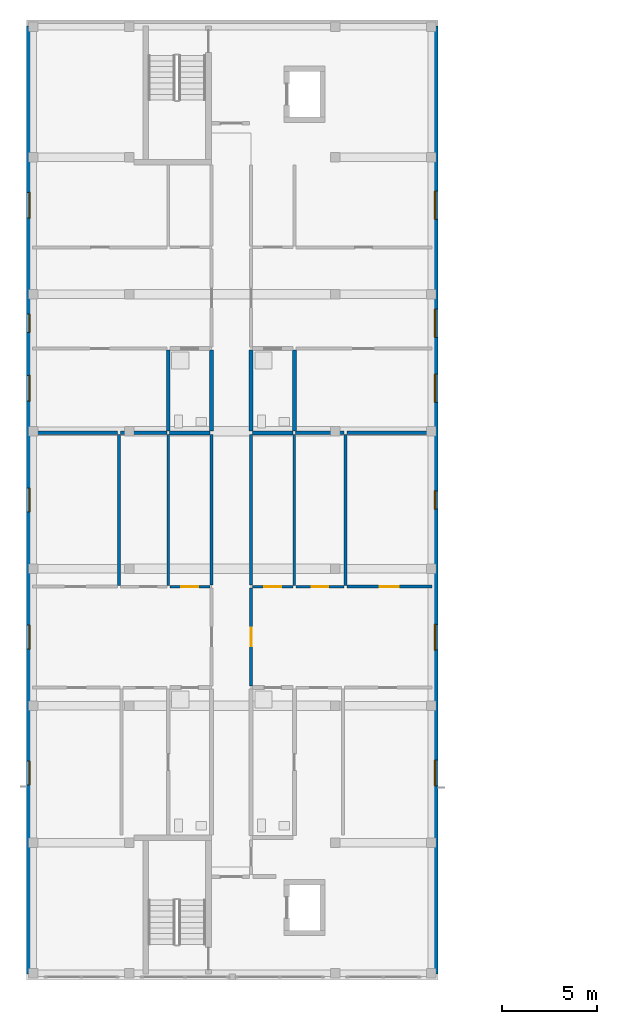
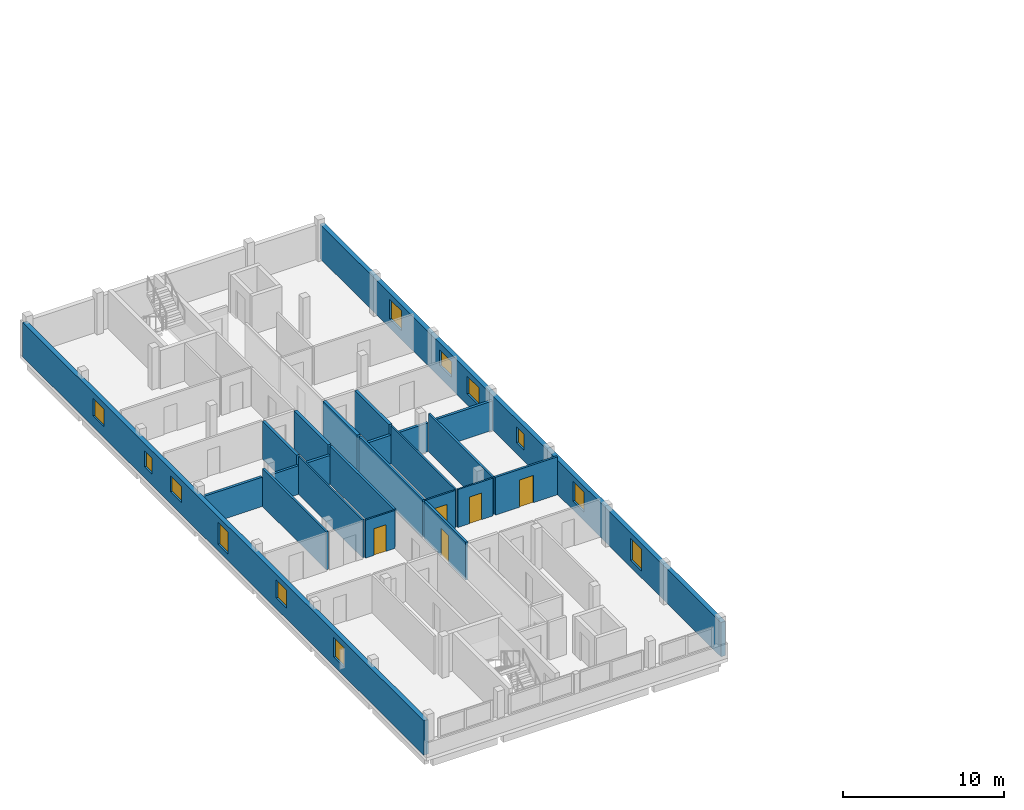
# One storey, part 7 of 16: 23 walls, 12 windows, 5 doors, 17 openings.
"""IFC4 building model written with IfcOpenShell, lengths in metres."""

from ifc_helpers import new_model, si_unit, derived_unit, direction, frame, frame_2d, origin, place, context, subcontext, project, spatial, rectangle, extrude, material, layer, layer_set, type_object, element, fill, save


model = new_model("IFC4")

# Units and contexts
model_context = context("Model", 3, precision=1e-05, world=origin(), true_north=direction((0.0, 1.0)))
body_context = subcontext(model_context, "Body", "Model", "MODEL_VIEW")
ifc_project = project(units=[si_unit("LENGTHUNIT", "METRE"), si_unit("AREAUNIT", "SQUARE_METRE"), si_unit("VOLUMEUNIT", "CUBIC_METRE"), si_unit("PLANEANGLEUNIT", "RADIAN"), si_unit("MASSUNIT", "GRAM", prefix="KILO"), derived_unit("THERMALTRANSMITTANCEUNIT", [(si_unit("MASSUNIT", "GRAM", prefix="KILO"), 1), (si_unit("TIMEUNIT", "SECOND"), -3), (si_unit("THERMODYNAMICTEMPERATUREUNIT", "KELVIN"), -1)])], contexts=[model_context])

# Site, building, storey
site_placement = place(None, origin())
site = spatial("IfcSite", under=ifc_project, at=site_placement, CompositionType="ELEMENT")
building_placement = place(site_placement, origin())
building = spatial("IfcBuilding", under=site, at=building_placement, Name="Ochrekiln Boulevard Commons", CompositionType="ELEMENT")
storey_placement = place(building_placement, frame((0.0, 0.0, 43.574951171875)))
storey = spatial("IfcBuildingStorey", under=building, at=storey_placement, Name="L13", CompositionType="ELEMENT", Elevation=43.574951171875)

# Wall, openings, windows
ifc_material_1 = material(Name="Desert ochre clinker brick masonry ASTM C216 Grade SW", Category="masonry")
ifc_layer_1 = layer(ifc_material_1, 0.320068359375)
ifc_layer_set_1 = layer_set([ifc_layer_1], Name="Desert ochre clinker brick masonry ASTM C216 Grade SW")
wall_type_1 = type_object("IfcWallType", Name="WL-EXT-OCHRE-320", PredefinedType="SOLIDWALL", material=ifc_layer_set_1)
wall_1_placement = place(storey_placement, frame((0.159912109375, 68.719970703125, 0.0), z_axis=(0.0, 0.0, 1.0), x_axis=(0.0, 1.0, 0.0)))
wall_1 = element("IfcWall", 1, at=wall_1_placement, inside=storey, type_object=wall_type_1, Name="Block A L13 W Exterior Wall", PredefinedType="SOLIDWALL", context=body_context, shape_type="SweptSolid", body=[
    extrude(rectangle(XDim=49.760009765625, YDim=0.320068359375, at=frame_2d((24.8798828125, 0.0))), origin(), (0.0, 0.0, 1.0), 2.60009765625),
])
opening_1_placement = place(wall_1_placement, frame((17.054931640625, 0.0, 0.81494140625)))
opening_1 = element("IfcOpeningElement", 2, at=opening_1_placement, cuts=wall_1, Name="Opening W-17", PredefinedType="OPENING", context=body_context, shape_type="SweptSolid", body=[
    extrude(rectangle(XDim=1.25, YDim=1.35009765625, at=frame_2d((0.625, 0.675048828125))), frame((0.0, 0.169921875, 0.0), z_axis=(0.0, -1.0, 0.0), x_axis=(1.0, 0.0, 0.0)), (0.0, 0.0, 1.0), 0.340087890625),
])
opening_2_placement = place(wall_1_placement, frame((9.919921875, 0.0, 0.6650390625)))
opening_2 = element("IfcOpeningElement", 3, at=opening_2_placement, cuts=wall_1, Name="Opening W-18", PredefinedType="OPENING", context=body_context, shape_type="SweptSolid", body=[
    extrude(rectangle(XDim=1.25, YDim=1.5, at=frame_2d((0.625, 0.75))), frame((0.0, 0.169921875, 0.0), z_axis=(0.0, -1.0, 0.0), x_axis=(1.0, 0.0, 0.0)), (0.0, 0.0, 1.0), 0.340087890625),
])
opening_3_placement = place(wall_1_placement, frame((24.2548828125, 0.0, 0.514892578125)))
opening_3 = element("IfcOpeningElement", 4, at=opening_3_placement, cuts=wall_1, Name="Opening W-19", PredefinedType="OPENING", context=body_context, shape_type="SweptSolid", body=[
    extrude(rectangle(XDim=1.25, YDim=1.64990234375, at=frame_2d((0.625, 0.824951171875))), frame((0.0, 0.169921875, 0.0), z_axis=(0.0, -1.0, 0.0), x_axis=(1.0, 0.0, 0.0)), (0.0, 0.0, 1.0), 0.340087890625),
])
opening_4_placement = place(wall_1_placement, frame((33.68408203125, 0.0, 0.85009765625)))
opening_4 = element("IfcOpeningElement", 5, at=opening_4_placement, cuts=wall_1, Name="Opening W-01", PredefinedType="OPENING", context=body_context, shape_type="SweptSolid", body=[
    extrude(rectangle(XDim=0.949951171875, YDim=1.199951171875, at=frame_2d((0.47509765625, 0.60009765625))), frame((0.0, 0.169921875, 0.0), z_axis=(0.0, -1.0, 0.0), x_axis=(1.0, 0.0, 0.0)), (0.0, 0.0, 1.0), 0.340087890625),
])
opening_5_placement = place(wall_1_placement, frame((30.073974609375, 0.0, 0.89990234375)))
opening_5 = element("IfcOpeningElement", 6, at=opening_5_placement, cuts=wall_1, Name="Opening W-21", PredefinedType="OPENING", context=body_context, shape_type="SweptSolid", body=[
    extrude(rectangle(XDim=1.35009765625, YDim=1.199951171875, at=frame_2d((0.675048828125, 0.60009765625))), frame((0.0, 0.169921875, 0.0), z_axis=(0.0, -1.0, 0.0), x_axis=(1.0, 0.0, 0.0)), (0.0, 0.0, 1.0), 0.340087890625),
])
opening_6_placement = place(wall_1_placement, frame((39.677001953125, 0.0, 0.81494140625)))
opening_6 = element("IfcOpeningElement", 7, at=opening_6_placement, cuts=wall_1, Name="Opening W-22", PredefinedType="OPENING", context=body_context, shape_type="SweptSolid", body=[
    extrude(rectangle(XDim=1.35009765625, YDim=1.35009765625, at=frame_2d((0.675048828125, 0.675048828125))), frame((0.0, 0.169921875, 0.0), z_axis=(0.0, -1.0, 0.0), x_axis=(1.0, 0.0, 0.0)), (0.0, 0.0, 1.0), 0.340087890625),
])
ifc_material_2 = material(Name="Thermally broken aluminium-clad oak frame", Category="aluminium")
window_type_1 = type_object("IfcWindowType", Name="WIN-EXT-01", PartitioningType="SINGLE_PANEL", PredefinedType="WINDOW", material=ifc_material_2)
window_1_placement = place(opening_4_placement, origin())
window_1 = element("IfcWindow", 8, at=window_1_placement, inside=storey, type_object=window_type_1, Name="Block A L13 Punched Masonry Window W-01", OverallHeight=1.199951171875, OverallWidth=0.949951171875, PartitioningType="SINGLE_PANEL", PredefinedType="WINDOW", context=body_context, shape_type="SweptSolid", body=[
    extrude(rectangle(XDim=0.949951171875, YDim=1.199951171875, at=frame_2d((0.47509765625, 0.60009765625))), frame((0.0, 0.030029296875, 0.0), z_axis=(0.0, -1.0, 0.0), x_axis=(1.0, 0.0, 0.0)), (0.0, 0.0, 1.0), 0.06005859375),
])
fill(opening_4, window_1)
window_type_2 = type_object("IfcWindowType", Name="WIN-EXT-17", PartitioningType="SINGLE_PANEL", PredefinedType="WINDOW", material=ifc_material_2)
window_2_placement = place(opening_1_placement, origin())
window_2 = element("IfcWindow", 9, at=window_2_placement, inside=storey, type_object=window_type_2, Name="Block A L13 Punched Masonry Window W-17", OverallHeight=1.35009765625, OverallWidth=1.25, PartitioningType="SINGLE_PANEL", PredefinedType="WINDOW", context=body_context, shape_type="SweptSolid", body=[
    extrude(rectangle(XDim=1.25, YDim=1.35009765625, at=frame_2d((0.625, 0.675048828125))), frame((0.0, 0.030029296875, 0.0), z_axis=(0.0, -1.0, 0.0), x_axis=(1.0, 0.0, 0.0)), (0.0, 0.0, 1.0), 0.06005859375),
])
fill(opening_1, window_2)
window_type_3 = type_object("IfcWindowType", Name="WIN-EXT-18", PartitioningType="SINGLE_PANEL", PredefinedType="WINDOW", material=ifc_material_2)
window_3_placement = place(opening_2_placement, origin())
window_3 = element("IfcWindow", 10, at=window_3_placement, inside=storey, type_object=window_type_3, Name="Block A L13 Punched Masonry Window W-18", OverallHeight=1.5, OverallWidth=1.25, PartitioningType="SINGLE_PANEL", PredefinedType="WINDOW", context=body_context, shape_type="SweptSolid", body=[
    extrude(rectangle(XDim=1.25, YDim=1.5, at=frame_2d((0.625, 0.75))), frame((0.0, 0.030029296875, 0.0), z_axis=(0.0, -1.0, 0.0), x_axis=(1.0, 0.0, 0.0)), (0.0, 0.0, 1.0), 0.06005859375),
])
fill(opening_2, window_3)
window_type_4 = type_object("IfcWindowType", Name="WIN-EXT-19", PartitioningType="SINGLE_PANEL", PredefinedType="WINDOW", material=ifc_material_2)
window_4_placement = place(opening_3_placement, origin())
window_4 = element("IfcWindow", 11, at=window_4_placement, inside=storey, type_object=window_type_4, Name="Block A L13 Punched Masonry Window W-19", OverallHeight=1.64990234375, OverallWidth=1.25, PartitioningType="SINGLE_PANEL", PredefinedType="WINDOW", context=body_context, shape_type="SweptSolid", body=[
    extrude(rectangle(XDim=1.25, YDim=1.64990234375, at=frame_2d((0.625, 0.824951171875))), frame((0.0, 0.030029296875, 0.0), z_axis=(0.0, -1.0, 0.0), x_axis=(1.0, 0.0, 0.0)), (0.0, 0.0, 1.0), 0.06005859375),
])
fill(opening_3, window_4)
window_type_5 = type_object("IfcWindowType", Name="WIN-EXT-21", PartitioningType="SINGLE_PANEL", PredefinedType="WINDOW", material=ifc_material_2)
window_5_placement = place(opening_5_placement, origin())
window_5 = element("IfcWindow", 12, at=window_5_placement, inside=storey, type_object=window_type_5, Name="Block A L13 Punched Masonry Window W-21", OverallHeight=1.199951171875, OverallWidth=1.35009765625, PartitioningType="SINGLE_PANEL", PredefinedType="WINDOW", context=body_context, shape_type="SweptSolid", body=[
    extrude(rectangle(XDim=1.35009765625, YDim=1.199951171875, at=frame_2d((0.675048828125, 0.60009765625))), frame((0.0, 0.030029296875, 0.0), z_axis=(0.0, -1.0, 0.0), x_axis=(1.0, 0.0, 0.0)), (0.0, 0.0, 1.0), 0.06005859375),
])
fill(opening_5, window_5)
window_type_6 = type_object("IfcWindowType", Name="WIN-EXT-22", PartitioningType="SINGLE_PANEL", PredefinedType="WINDOW", material=ifc_material_2)
window_6_placement = place(opening_6_placement, origin())
window_6 = element("IfcWindow", 13, at=window_6_placement, inside=storey, type_object=window_type_6, Name="Block A L13 Punched Masonry Window W-22", OverallHeight=1.35009765625, OverallWidth=1.35009765625, PartitioningType="SINGLE_PANEL", PredefinedType="WINDOW", context=body_context, shape_type="SweptSolid", body=[
    extrude(rectangle(XDim=1.35009765625, YDim=1.35009765625, at=frame_2d((0.675048828125, 0.675048828125))), frame((0.0, 0.030029296875, 0.0), z_axis=(0.0, -1.0, 0.0), x_axis=(1.0, 0.0, 0.0)), (0.0, 0.0, 1.0), 0.06005859375),
])
fill(opening_6, window_6)

wall_2_placement = place(storey_placement, frame((21.43994140625, 68.719970703125, 0.0), z_axis=(0.0, 0.0, 1.0), x_axis=(0.0, 1.0, 0.0)))
wall_2 = element("IfcWall", 14, at=wall_2_placement, inside=storey, type_object=wall_type_1, Name="Block A L13 E Exterior Wall", PredefinedType="SOLIDWALL", context=body_context, shape_type="SweptSolid", body=[
    extrude(rectangle(XDim=49.760009765625, YDim=0.320068359375, at=frame_2d((24.8798828125, 0.0))), origin(), (0.0, 0.0, 1.0), 2.60009765625),
])
opening_7_placement = place(wall_2_placement, frame((17.0048828125, 0.0, 0.6650390625)))
opening_7 = element("IfcOpeningElement", 15, at=opening_7_placement, cuts=wall_2, Name="Opening W-23", PredefinedType="OPENING", context=body_context, shape_type="SweptSolid", body=[
    extrude(rectangle(XDim=1.35009765625, YDim=1.5, at=frame_2d((0.675048828125, 0.75))), frame((0.0, 0.169921875, 0.0), z_axis=(0.0, -1.0, 0.0), x_axis=(1.0, 0.0, 0.0)), (0.0, 0.0, 1.0), 0.340087890625),
])
opening_8_placement = place(wall_2_placement, frame((9.8701171875, 0.0, 0.514892578125)))
opening_8 = element("IfcOpeningElement", 16, at=opening_8_placement, cuts=wall_2, Name="Opening W-24", PredefinedType="OPENING", context=body_context, shape_type="SweptSolid", body=[
    extrude(rectangle(XDim=1.35009765625, YDim=1.64990234375, at=frame_2d((0.675048828125, 0.824951171875))), frame((0.0, 0.169921875, 0.0), z_axis=(0.0, -1.0, 0.0), x_axis=(1.0, 0.0, 0.0)), (0.0, 0.0, 1.0), 0.340087890625),
])
opening_9_placement = place(wall_2_placement, frame((24.405029296875, 0.0, 0.85009765625)))
opening_9 = element("IfcOpeningElement", 17, at=opening_9_placement, cuts=wall_2, Name="Opening W-01", PredefinedType="OPENING", context=body_context, shape_type="SweptSolid", body=[
    extrude(rectangle(XDim=0.949951171875, YDim=1.199951171875, at=frame_2d((0.47509765625, 0.60009765625))), frame((0.0, 0.169921875, 0.0), z_axis=(0.0, -1.0, 0.0), x_axis=(1.0, 0.0, 0.0)), (0.0, 0.0, 1.0), 0.340087890625),
])
opening_10_placement = place(wall_2_placement, frame((33.4189453125, 0.0, 0.89990234375)))
opening_10 = element("IfcOpeningElement", 18, at=opening_10_placement, cuts=wall_2, Name="Opening W-26", PredefinedType="OPENING", context=body_context, shape_type="SweptSolid", body=[
    extrude(rectangle(XDim=1.47998046875, YDim=1.199951171875, at=frame_2d((0.739990234375, 0.60009765625))), frame((0.0, 0.169921875, 0.0), z_axis=(0.0, -1.0, 0.0), x_axis=(1.0, 0.0, 0.0)), (0.0, 0.0, 1.0), 0.340087890625),
])
opening_11_placement = place(wall_2_placement, frame((30.009033203125, 0.0, 0.81494140625)))
opening_11 = element("IfcOpeningElement", 19, at=opening_11_placement, cuts=wall_2, Name="Opening W-27", PredefinedType="OPENING", context=body_context, shape_type="SweptSolid", body=[
    extrude(rectangle(XDim=1.47998046875, YDim=1.35009765625, at=frame_2d((0.739990234375, 0.675048828125))), frame((0.0, 0.169921875, 0.0), z_axis=(0.0, -1.0, 0.0), x_axis=(1.0, 0.0, 0.0)), (0.0, 0.0, 1.0), 0.340087890625),
])
opening_12_placement = place(wall_2_placement, frame((39.612060546875, 0.0, 0.6650390625)))
opening_12 = element("IfcOpeningElement", 20, at=opening_12_placement, cuts=wall_2, Name="Opening W-28", PredefinedType="OPENING", context=body_context, shape_type="SweptSolid", body=[
    extrude(rectangle(XDim=1.47998046875, YDim=1.5, at=frame_2d((0.739990234375, 0.75))), frame((0.0, 0.169921875, 0.0), z_axis=(0.0, -1.0, 0.0), x_axis=(1.0, 0.0, 0.0)), (0.0, 0.0, 1.0), 0.340087890625),
])
window_7_placement = place(opening_9_placement, origin())
window_7 = element("IfcWindow", 21, at=window_7_placement, inside=storey, type_object=window_type_1, Name="Block A L13 Punched Masonry Window W-01", OverallHeight=1.199951171875, OverallWidth=0.949951171875, PartitioningType="SINGLE_PANEL", PredefinedType="WINDOW", context=body_context, shape_type="SweptSolid", body=[
    extrude(rectangle(XDim=0.949951171875, YDim=1.199951171875, at=frame_2d((0.47509765625, 0.60009765625))), frame((0.0, 0.030029296875, 0.0), z_axis=(0.0, -1.0, 0.0), x_axis=(1.0, 0.0, 0.0)), (0.0, 0.0, 1.0), 0.06005859375),
])
fill(opening_9, window_7)
window_type_7 = type_object("IfcWindowType", Name="WIN-EXT-23", PartitioningType="SINGLE_PANEL", PredefinedType="WINDOW", material=ifc_material_2)
window_8_placement = place(opening_7_placement, origin())
window_8 = element("IfcWindow", 22, at=window_8_placement, inside=storey, type_object=window_type_7, Name="Block A L13 Punched Masonry Window W-23", OverallHeight=1.5, OverallWidth=1.35009765625, PartitioningType="SINGLE_PANEL", PredefinedType="WINDOW", context=body_context, shape_type="SweptSolid", body=[
    extrude(rectangle(XDim=1.35009765625, YDim=1.5, at=frame_2d((0.675048828125, 0.75))), frame((0.0, 0.030029296875, 0.0), z_axis=(0.0, -1.0, 0.0), x_axis=(1.0, 0.0, 0.0)), (0.0, 0.0, 1.0), 0.06005859375),
])
fill(opening_7, window_8)
window_type_8 = type_object("IfcWindowType", Name="WIN-EXT-24", PartitioningType="SINGLE_PANEL", PredefinedType="WINDOW", material=ifc_material_2)
window_9_placement = place(opening_8_placement, origin())
window_9 = element("IfcWindow", 23, at=window_9_placement, inside=storey, type_object=window_type_8, Name="Block A L13 Punched Masonry Window W-24", OverallHeight=1.64990234375, OverallWidth=1.35009765625, PartitioningType="SINGLE_PANEL", PredefinedType="WINDOW", context=body_context, shape_type="SweptSolid", body=[
    extrude(rectangle(XDim=1.35009765625, YDim=1.64990234375, at=frame_2d((0.675048828125, 0.824951171875))), frame((0.0, 0.030029296875, 0.0), z_axis=(0.0, -1.0, 0.0), x_axis=(1.0, 0.0, 0.0)), (0.0, 0.0, 1.0), 0.06005859375),
])
fill(opening_8, window_9)
window_type_9 = type_object("IfcWindowType", Name="WIN-EXT-26", PartitioningType="SINGLE_PANEL", PredefinedType="WINDOW", material=ifc_material_2)
window_10_placement = place(opening_10_placement, origin())
window_10 = element("IfcWindow", 24, at=window_10_placement, inside=storey, type_object=window_type_9, Name="Block A L13 Punched Masonry Window W-26", OverallHeight=1.199951171875, OverallWidth=1.47998046875, PartitioningType="SINGLE_PANEL", PredefinedType="WINDOW", context=body_context, shape_type="SweptSolid", body=[
    extrude(rectangle(XDim=1.47998046875, YDim=1.199951171875, at=frame_2d((0.739990234375, 0.60009765625))), frame((0.0, 0.030029296875, 0.0), z_axis=(0.0, -1.0, 0.0), x_axis=(1.0, 0.0, 0.0)), (0.0, 0.0, 1.0), 0.06005859375),
])
fill(opening_10, window_10)
window_type_10 = type_object("IfcWindowType", Name="WIN-EXT-27", PartitioningType="SINGLE_PANEL", PredefinedType="WINDOW", material=ifc_material_2)
window_11_placement = place(opening_11_placement, origin())
window_11 = element("IfcWindow", 25, at=window_11_placement, inside=storey, type_object=window_type_10, Name="Block A L13 Punched Masonry Window W-27", OverallHeight=1.35009765625, OverallWidth=1.47998046875, PartitioningType="SINGLE_PANEL", PredefinedType="WINDOW", context=body_context, shape_type="SweptSolid", body=[
    extrude(rectangle(XDim=1.47998046875, YDim=1.35009765625, at=frame_2d((0.739990234375, 0.675048828125))), frame((0.0, 0.030029296875, 0.0), z_axis=(0.0, -1.0, 0.0), x_axis=(1.0, 0.0, 0.0)), (0.0, 0.0, 1.0), 0.06005859375),
])
fill(opening_11, window_11)
window_type_11 = type_object("IfcWindowType", Name="WIN-EXT-28", PartitioningType="SINGLE_PANEL", PredefinedType="WINDOW", material=ifc_material_2)
window_12_placement = place(opening_12_placement, origin())
window_12 = element("IfcWindow", 26, at=window_12_placement, inside=storey, type_object=window_type_11, Name="Block A L13 Punched Masonry Window W-28", OverallHeight=1.5, OverallWidth=1.47998046875, PartitioningType="SINGLE_PANEL", PredefinedType="WINDOW", context=body_context, shape_type="SweptSolid", body=[
    extrude(rectangle(XDim=1.47998046875, YDim=1.5, at=frame_2d((0.739990234375, 0.75))), frame((0.0, 0.030029296875, 0.0), z_axis=(0.0, -1.0, 0.0), x_axis=(1.0, 0.0, 0.0)), (0.0, 0.0, 1.0), 0.06005859375),
])
fill(opening_12, window_12)

# Walls
ifc_material_3 = material(Name="Moisture-resistant cementitious tile backer wall")
ifc_layer_2 = layer(ifc_material_3, 0.199951171875)
ifc_layer_set_2 = layer_set([ifc_layer_2], Name="Moisture-resistant cementitious tile backer wall")
wall_type_2 = type_object("IfcWallType", Name="WL-PLM-200", PredefinedType="PLUMBINGWALL", material=ifc_layer_set_2)
wall_3_placement = place(storey_placement, frame((7.5, 97.1201171875, 0.0), z_axis=(0.0, 0.0, 1.0), x_axis=(1.0, 0.0, 0.0)))
element("IfcWall", 27, at=wall_3_placement, inside=storey, type_object=wall_type_2, Name="L13 Interior Wall W-PW200", PredefinedType="PLUMBINGWALL", context=body_context, shape_type="SweptSolid", body=[
    extrude(rectangle(XDim=2.1279296875, YDim=0.199951171875, at=frame_2d((1.06396484375, 0.0))), origin(), (0.0, 0.0, 1.0), 2.170166015625),
])
wall_4_placement = place(storey_placement, frame((7.43994140625, 97.2099609375, 0.0), z_axis=(0.0, 0.0, 1.0), x_axis=(0.0, 1.0, 0.0)))
element("IfcWall", 28, at=wall_4_placement, inside=storey, type_object=wall_type_2, Name="L13 Interior Wall W-PW200", PredefinedType="PLUMBINGWALL", context=body_context, shape_type="SweptSolid", body=[
    extrude(rectangle(XDim=4.257080078125, YDim=0.199951171875, at=frame_2d((2.12841796875, 0.0))), origin(), (0.0, 0.0, 1.0), 2.8701171875),
])
wall_5_placement = place(storey_placement, frame((11.8720703125, 97.1201171875, 0.0), z_axis=(0.0, 0.0, 1.0), x_axis=(1.0, 0.0, 0.0)))
element("IfcWall", 29, at=wall_5_placement, inside=storey, type_object=wall_type_2, Name="L13 Interior Wall W-PW200", PredefinedType="PLUMBINGWALL", context=body_context, shape_type="SweptSolid", body=[
    extrude(rectangle(XDim=2.1279296875, YDim=0.199951171875, at=frame_2d((1.06396484375, 0.0))), origin(), (0.0, 0.0, 1.0), 2.170166015625),
])
wall_6_placement = place(storey_placement, frame((14.06005859375, 97.2099609375, 0.0), z_axis=(0.0, 0.0, 1.0), x_axis=(0.0, 1.0, 0.0)))
element("IfcWall", 30, at=wall_6_placement, inside=storey, type_object=wall_type_2, Name="L13 Interior Wall W-PW200", PredefinedType="PLUMBINGWALL", context=body_context, shape_type="SweptSolid", body=[
    extrude(rectangle(XDim=4.257080078125, YDim=0.199951171875, at=frame_2d((2.12841796875, 0.0))), origin(), (0.0, 0.0, 1.0), 2.8701171875),
])
ifc_layer_3 = layer(ifc_material_3, 0.219970703125)
ifc_layer_set_3 = layer_set([ifc_layer_3], Name="Moisture-resistant cementitious tile backer wall")
wall_type_3 = type_object("IfcWallType", Name="WL-PLM-220", PredefinedType="PLUMBINGWALL", material=ifc_layer_set_3)
for number, where, z_axis, x_axis, name in (
    (31, (9.7099609375, 97.2099609375, 0.0), (0.0, 0.0, 1.0), (0.0, 1.0, 0.0), "L13 Interior Wall W-PW220"),
    (32, (11.7900390625, 97.2099609375, 0.0), (0.0, 0.0, 1.0), (0.0, 1.0, 0.0), "L13 Interior Wall W-PW220"),
):
    element("IfcWall", number, at=place(storey_placement, frame(where, z_axis=z_axis, x_axis=x_axis)), inside=storey, type_object=wall_type_3, Name=name, PredefinedType="PLUMBINGWALL", context=body_context, shape_type="SweptSolid", body=[
        extrude(rectangle(XDim=4.257080078125, YDim=0.219970703125, at=frame_2d((2.12841796875, 0.0))), origin(), (0.0, 0.0, 1.0), 2.8701171875),
    ])
ifc_material_4 = material(Name="Fire-rated Type X gypsum board on steel studs", Category="steel")
ifc_layer_4 = layer(ifc_material_4, 0.1650390625)
ifc_layer_set_4 = layer_set([ifc_layer_4], Name="Fire-rated Type X gypsum board on steel studs")
wall_type_4 = type_object("IfcWallType", Name="WL-PT-CORR-165", PredefinedType="PARTITIONING", material=ifc_layer_set_4)
wall_7_placement = place(storey_placement, frame((9.7099609375, 89.1298828125, 0.0), z_axis=(0.0, 0.0, 1.0), x_axis=(0.0, 1.0, 0.0)))
element("IfcWall", 33, at=wall_7_placement, inside=storey, type_object=wall_type_4, Name="L13 Interior Wall W-PC165", PredefinedType="PARTITIONING", context=body_context, shape_type="SweptSolid", body=[
    extrude(rectangle(XDim=7.900146484375, YDim=0.1650390625, at=frame_2d((3.9501953125, 0.0))), origin(), (0.0, 0.0, 1.0), 2.8701171875),
])

# Wall, opening, door
wall_8_placement = place(storey_placement, frame((11.7900390625, 83.830078125, 0.0), z_axis=(0.0, 0.0, 1.0), x_axis=(0.0, 1.0, 0.0)))
wall_8 = element("IfcWall", 34, at=wall_8_placement, inside=storey, type_object=wall_type_4, Name="L13 Interior Wall W-PC165", PredefinedType="PARTITIONING", context=body_context, shape_type="SweptSolid", body=[
    extrude(rectangle(XDim=5.139892578125, YDim=0.1650390625, at=frame_2d((2.56982421875, 0.0))), origin(), (0.0, 0.0, 1.0), 2.8701171875),
])
opening_13_placement = place(wall_8_placement, frame((2.080078125, 0.0, 0.0)))
opening_13 = element("IfcOpeningElement", 35, at=opening_13_placement, cuts=wall_8, Name="Opening D-L13-1340", PredefinedType="OPENING", context=body_context, shape_type="SweptSolid", body=[
    extrude(rectangle(XDim=0.97998046875, YDim=2.080078125, at=frame_2d((0.489990234375, 1.0400390625))), frame((0.0, 0.092529296875, 0.0), z_axis=(0.0, -1.0, 0.0), x_axis=(1.0, 0.0, 0.0)), (0.0, 0.0, 1.0), 0.18505859375),
])
ifc_material_5 = material(Name="Solid core architectural oak door leaf")
door_type_1 = type_object("IfcDoorType", Name="DR-APT-60", OperationType="NOTDEFINED", PredefinedType="DOOR", material=ifc_material_5)
door_1_placement = place(opening_13_placement, frame((0.97998046875, 0.0, 0.0), z_axis=(0.0, 0.0, 1.0), x_axis=(-1.0, 0.0, 0.0)))
door_1 = element("IfcDoor", 36, at=door_1_placement, inside=storey, type_object=door_type_1, Name="L13 Interior Door to Two-Bedroom Apartment Living Room", OperationType="SINGLE_SWING_RIGHT", OverallHeight=2.080078125, OverallWidth=0.97998046875, PredefinedType="DOOR", context=body_context, shape_type="SweptSolid", body=[
    extrude(rectangle(XDim=0.97998046875, YDim=2.080078125, at=frame_2d((0.489990234375, 1.0400390625))), frame((0.0, 0.02490234375, 0.0), z_axis=(0.0, -1.0, 0.0), x_axis=(1.0, 0.0, 0.0)), (0.0, 0.0, 1.0), 0.050048828125),
])
fill(opening_13, door_1)

# Walls
wall_9_placement = place(storey_placement, frame((11.7900390625, 89.1298828125, 0.0), z_axis=(0.0, 0.0, 1.0), x_axis=(0.0, 1.0, 0.0)))
element("IfcWall", 37, at=wall_9_placement, inside=storey, type_object=wall_type_4, Name="L13 Interior Wall W-PC165", PredefinedType="PARTITIONING", context=body_context, shape_type="SweptSolid", body=[
    extrude(rectangle(XDim=7.900146484375, YDim=0.1650390625, at=frame_2d((3.9501953125, 0.0))), origin(), (0.0, 0.0, 1.0), 2.8701171875),
])
ifc_layer_5 = layer(ifc_material_4, 0.179931640625)
ifc_layer_set_5 = layer_set([ifc_layer_5], Name="Fire-rated Type X gypsum board on steel studs")
wall_type_5 = type_object("IfcWallType", Name="WL-PT-DEM-180", PredefinedType="PARTITIONING", material=ifc_layer_set_5)
wall_10_placement = place(storey_placement, frame((0.320068359375, 97.1201171875, 0.0), z_axis=(0.0, 0.0, 1.0), x_axis=(1.0, 0.0, 0.0)))
element("IfcWall", 38, at=wall_10_placement, inside=storey, type_object=wall_type_5, Name="L13 Interior Wall W-PD180", PredefinedType="PARTITIONING", context=body_context, shape_type="SweptSolid", body=[
    extrude(rectangle(XDim=4.4599609375, YDim=0.179931640625, at=frame_2d((2.22998046875, 0.0))), origin(), (0.0, 0.0, 1.0), 2.219970703125),
])
wall_11_placement = place(storey_placement, frame((4.93994140625, 97.1201171875, 0.0), z_axis=(0.0, 0.0, 1.0), x_axis=(1.0, 0.0, 0.0)))
element("IfcWall", 39, at=wall_11_placement, inside=storey, type_object=wall_type_5, Name="L13 Interior Wall W-PD180", PredefinedType="PARTITIONING", context=body_context, shape_type="SweptSolid", body=[
    extrude(rectangle(XDim=2.43994140625, YDim=0.179931640625, at=frame_2d((1.219970703125, 0.0))), origin(), (0.0, 0.0, 1.0), 2.170166015625),
])
wall_12_placement = place(storey_placement, frame((16.81494140625, 97.1201171875, 0.0), z_axis=(0.0, 0.0, 1.0), x_axis=(1.0, 0.0, 0.0)))
element("IfcWall", 40, at=wall_12_placement, inside=storey, type_object=wall_type_5, Name="L13 Interior Wall W-PD180", PredefinedType="PARTITIONING", context=body_context, shape_type="SweptSolid", body=[
    extrude(rectangle(XDim=4.465087890625, YDim=0.179931640625, at=frame_2d((2.232421875, 0.0))), origin(), (0.0, 0.0, 1.0), 2.219970703125),
])
wall_13_placement = place(storey_placement, frame((14.1201171875, 97.1201171875, 0.0), z_axis=(0.0, 0.0, 1.0), x_axis=(1.0, 0.0, 0.0)))
element("IfcWall", 41, at=wall_13_placement, inside=storey, type_object=wall_type_5, Name="L13 Interior Wall W-PD180", PredefinedType="PARTITIONING", context=body_context, shape_type="SweptSolid", body=[
    extrude(rectangle(XDim=2.539794921875, YDim=0.179931640625, at=frame_2d((1.27001953125, 0.0))), origin(), (0.0, 0.0, 1.0), 2.170166015625),
])

# Wall, opening, door
ifc_layer_6 = layer(ifc_material_4, 0.1201171875)
ifc_layer_set_6 = layer_set([ifc_layer_6], Name="Fire-rated Type X gypsum board on steel studs")
wall_type_6 = type_object("IfcWallType", Name="WL-PT-LGT-120", PredefinedType="PARTITIONING", material=ifc_layer_set_6)
wall_14_placement = place(storey_placement, frame((7.52001953125, 89.050048828125, 0.0), z_axis=(0.0, 0.0, 1.0), x_axis=(1.0, 0.0, 0.0)))
wall_14 = element("IfcWall", 42, at=wall_14_placement, inside=storey, type_object=wall_type_6, Name="L13 Interior Wall W-PL120", PredefinedType="PARTITIONING", context=body_context, shape_type="SweptSolid", body=[
    extrude(rectangle(XDim=2.10791015625, YDim=0.1201171875, at=frame_2d((1.053955078125, 0.0))), origin(), (0.0, 0.0, 1.0), 2.8701171875),
])
opening_14_placement = place(wall_14_placement, frame((0.610107421875, 0.0, 0.0)))
opening_14 = element("IfcOpeningElement", 43, at=opening_14_placement, cuts=wall_14, Name="Opening D-L13-1343", PredefinedType="OPENING", context=body_context, shape_type="SweptSolid", body=[
    extrude(rectangle(XDim=0.8798828125, YDim=2.02001953125, at=frame_2d((0.43994140625, 1.010009765625))), frame((0.0, 0.070068359375, 0.0), z_axis=(0.0, -1.0, 0.0), x_axis=(1.0, 0.0, 0.0)), (0.0, 0.0, 1.0), 0.14013671875),
])
door_type_2 = type_object("IfcDoorType", Name="DR-INT-KIT-088", OperationType="NOTDEFINED", PredefinedType="DOOR", material=ifc_material_5)
door_2_placement = place(opening_14_placement, origin())
door_2 = element("IfcDoor", 44, at=door_2_placement, inside=storey, type_object=door_type_2, Name="L13 Interior Door to Apartment Kitchen", OperationType="SINGLE_SWING_LEFT", OverallHeight=2.02001953125, OverallWidth=0.8798828125, PredefinedType="DOOR", context=body_context, shape_type="SweptSolid", body=[
    extrude(rectangle(XDim=0.8798828125, YDim=2.02001953125, at=frame_2d((0.43994140625, 1.010009765625))), frame((0.0, 0.02490234375, 0.0), z_axis=(0.0, -1.0, 0.0), x_axis=(1.0, 0.0, 0.0)), (0.0, 0.0, 1.0), 0.050048828125),
])
fill(opening_14, door_2)

# Wall
wall_15_placement = place(storey_placement, frame((7.43994140625, 89.110107421875, 0.0), z_axis=(0.0, 0.0, 1.0), x_axis=(0.0, 1.0, 0.0)))
element("IfcWall", 45, at=wall_15_placement, inside=storey, type_object=wall_type_6, Name="L13 Interior Wall W-PL120", PredefinedType="PARTITIONING", context=body_context, shape_type="SweptSolid", body=[
    extrude(rectangle(XDim=7.919921875, YDim=0.1201171875, at=frame_2d((3.9599609375, 0.0))), origin(), (0.0, 0.0, 1.0), 2.8701171875),
])

# Wall, opening, door
wall_16_placement = place(storey_placement, frame((11.8720703125, 89.050048828125, 0.0), z_axis=(0.0, 0.0, 1.0), x_axis=(1.0, 0.0, 0.0)))
wall_16 = element("IfcWall", 46, at=wall_16_placement, inside=storey, type_object=wall_type_6, Name="L13 Interior Wall W-PL120", PredefinedType="PARTITIONING", context=body_context, shape_type="SweptSolid", body=[
    extrude(rectangle(XDim=2.10791015625, YDim=0.1201171875, at=frame_2d((1.053955078125, 0.0))), origin(), (0.0, 0.0, 1.0), 2.8701171875),
])
opening_15_placement = place(wall_16_placement, frame((0.617919921875, 0.0, 0.0)))
opening_15 = element("IfcOpeningElement", 47, at=opening_15_placement, cuts=wall_16, Name="Opening D-L13-1354", PredefinedType="OPENING", context=body_context, shape_type="SweptSolid", body=[
    extrude(rectangle(XDim=0.8798828125, YDim=2.02001953125, at=frame_2d((0.43994140625, 1.010009765625))), frame((0.0, 0.070068359375, 0.0), z_axis=(0.0, -1.0, 0.0), x_axis=(1.0, 0.0, 0.0)), (0.0, 0.0, 1.0), 0.14013671875),
])
door_3_placement = place(opening_15_placement, origin())
door_3 = element("IfcDoor", 48, at=door_3_placement, inside=storey, type_object=door_type_2, Name="L13 Interior Door to Apartment Kitchen", OperationType="SINGLE_SWING_RIGHT", OverallHeight=2.02001953125, OverallWidth=0.8798828125, PredefinedType="DOOR", context=body_context, shape_type="SweptSolid", body=[
    extrude(rectangle(XDim=0.8798828125, YDim=2.02001953125, at=frame_2d((0.43994140625, 1.010009765625))), frame((0.0, 0.02490234375, 0.0), z_axis=(0.0, -1.0, 0.0), x_axis=(1.0, 0.0, 0.0)), (0.0, 0.0, 1.0), 0.050048828125),
])
fill(opening_15, door_3)

wall_17_placement = place(storey_placement, frame((14.139892578125, 89.050048828125, 0.0), z_axis=(0.0, 0.0, 1.0), x_axis=(1.0, 0.0, 0.0)))
wall_17 = element("IfcWall", 49, at=wall_17_placement, inside=storey, type_object=wall_type_6, Name="L13 Interior Wall W-PL120", PredefinedType="PARTITIONING", context=body_context, shape_type="SweptSolid", body=[
    extrude(rectangle(XDim=2.52001953125, YDim=0.1201171875, at=frame_2d((1.260009765625, 0.0))), origin(), (0.0, 0.0, 1.0), 2.8701171875),
])
opening_16_placement = place(wall_17_placement, frame((0.820068359375, 0.0, 0.0)))
opening_16 = element("IfcOpeningElement", 50, at=opening_16_placement, cuts=wall_17, Name="Opening D-L13-1358", PredefinedType="OPENING", context=body_context, shape_type="SweptSolid", body=[
    extrude(rectangle(XDim=0.8798828125, YDim=2.02001953125, at=frame_2d((0.43994140625, 1.010009765625))), frame((0.0, 0.070068359375, 0.0), z_axis=(0.0, -1.0, 0.0), x_axis=(1.0, 0.0, 0.0)), (0.0, 0.0, 1.0), 0.14013671875),
])
door_4_placement = place(opening_16_placement, origin())
door_4 = element("IfcDoor", 51, at=door_4_placement, inside=storey, type_object=door_type_2, Name="L13 Interior Door to Apartment Walk-In Wardrobe", OperationType="SINGLE_SWING_RIGHT", OverallHeight=2.02001953125, OverallWidth=0.8798828125, PredefinedType="DOOR", context=body_context, shape_type="SweptSolid", body=[
    extrude(rectangle(XDim=0.8798828125, YDim=2.02001953125, at=frame_2d((0.43994140625, 1.010009765625))), frame((0.0, 0.02490234375, 0.0), z_axis=(0.0, -1.0, 0.0), x_axis=(1.0, 0.0, 0.0)), (0.0, 0.0, 1.0), 0.050048828125),
])
fill(opening_16, door_4)

# Walls
wall_18_placement = place(storey_placement, frame((14.06005859375, 89.110107421875, 0.0), z_axis=(0.0, 0.0, 1.0), x_axis=(0.0, 1.0, 0.0)))
element("IfcWall", 52, at=wall_18_placement, inside=storey, type_object=wall_type_6, Name="L13 Interior Wall W-PL120", PredefinedType="PARTITIONING", context=body_context, shape_type="SweptSolid", body=[
    extrude(rectangle(XDim=7.919921875, YDim=0.1201171875, at=frame_2d((3.9599609375, 0.0))), origin(), (0.0, 0.0, 1.0), 2.8701171875),
])
ifc_layer_7 = layer(ifc_material_4, 0.14990234375)
ifc_layer_set_7 = layer_set([ifc_layer_7], Name="Fire-rated Type X gypsum board on steel studs")
wall_type_7 = type_object("IfcWallType", Name="WL-PT-STD-150", PredefinedType="PARTITIONING", material=ifc_layer_set_7)
wall_19_placement = place(storey_placement, frame((4.860107421875, 89.110107421875, 0.0), z_axis=(0.0, 0.0, 1.0), x_axis=(0.0, 1.0, 0.0)))
element("IfcWall", 53, at=wall_19_placement, inside=storey, type_object=wall_type_7, Name="L13 Interior Wall W-PS150", PredefinedType="PARTITIONING", context=body_context, shape_type="SweptSolid", body=[
    extrude(rectangle(XDim=7.919921875, YDim=0.14990234375, at=frame_2d((3.9599609375, 0.0))), origin(), (0.0, 0.0, 1.0), 2.8701171875),
])

# Wall, opening, door
wall_20_placement = place(storey_placement, frame((16.820068359375, 89.050048828125, 0.0), z_axis=(0.0, 0.0, 1.0), x_axis=(1.0, 0.0, 0.0)))
wall_20 = element("IfcWall", 54, at=wall_20_placement, inside=storey, type_object=wall_type_7, Name="L13 Interior Wall W-PS150", PredefinedType="PARTITIONING", context=body_context, shape_type="SweptSolid", body=[
    extrude(rectangle(XDim=4.4599609375, YDim=0.14990234375, at=frame_2d((2.22998046875, 0.0))), origin(), (0.0, 0.0, 1.0), 2.8701171875),
])
opening_17_placement = place(wall_20_placement, frame((1.715087890625, 0.0, 0.0)))
opening_17 = element("IfcOpeningElement", 55, at=opening_17_placement, cuts=wall_20, Name="Opening D-L13-1357", PredefinedType="OPENING", context=body_context, shape_type="SweptSolid", body=[
    extrude(rectangle(XDim=1.0, YDim=2.06005859375, at=frame_2d((0.5, 1.030029296875))), frame((0.0, 0.0849609375, 0.0), z_axis=(0.0, -1.0, 0.0), x_axis=(1.0, 0.0, 0.0)), (0.0, 0.0, 1.0), 0.169921875),
])
door_type_3 = type_object("IfcDoorType", Name="DR-INT-BED-100", OperationType="NOTDEFINED", PredefinedType="DOOR", material=ifc_material_5)
door_5_placement = place(opening_17_placement, origin())
door_5 = element("IfcDoor", 56, at=door_5_placement, inside=storey, type_object=door_type_3, Name="L13 Interior Door to Secondary Apartment Bedroom", OperationType="SINGLE_SWING_LEFT", OverallHeight=2.06005859375, OverallWidth=1.0, PredefinedType="DOOR", context=body_context, shape_type="SweptSolid", body=[
    extrude(rectangle(XDim=1.0, YDim=2.06005859375, at=frame_2d((0.5, 1.030029296875))), frame((0.0, 0.02490234375, 0.0), z_axis=(0.0, -1.0, 0.0), x_axis=(1.0, 0.0, 0.0)), (0.0, 0.0, 1.0), 0.050048828125),
])
fill(opening_17, door_5)

# Wall
wall_21_placement = place(storey_placement, frame((16.739990234375, 89.110107421875, 0.0), z_axis=(0.0, 0.0, 1.0), x_axis=(0.0, 1.0, 0.0)))
element("IfcWall", 57, at=wall_21_placement, inside=storey, type_object=wall_type_7, Name="L13 Interior Wall W-PS150", PredefinedType="PARTITIONING", context=body_context, shape_type="SweptSolid", body=[
    extrude(rectangle(XDim=7.919921875, YDim=0.14990234375, at=frame_2d((3.9599609375, 0.0))), origin(), (0.0, 0.0, 1.0), 2.8701171875),
])

save(model, "model.ifc")
